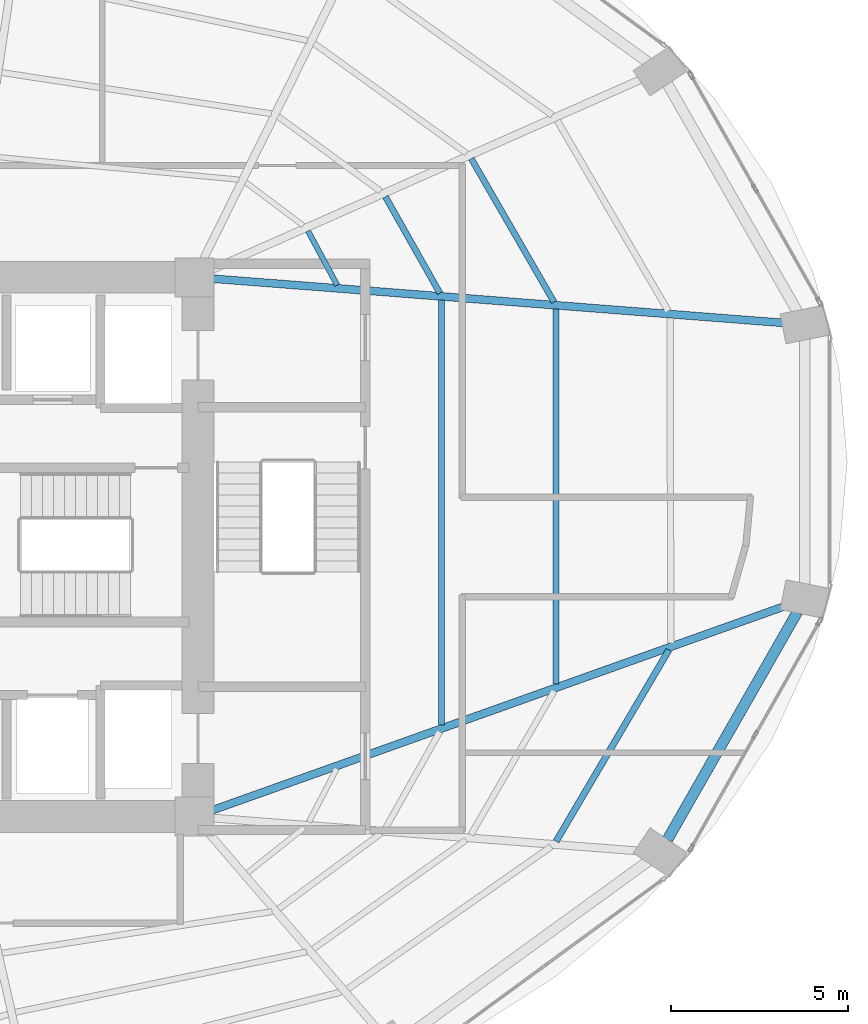
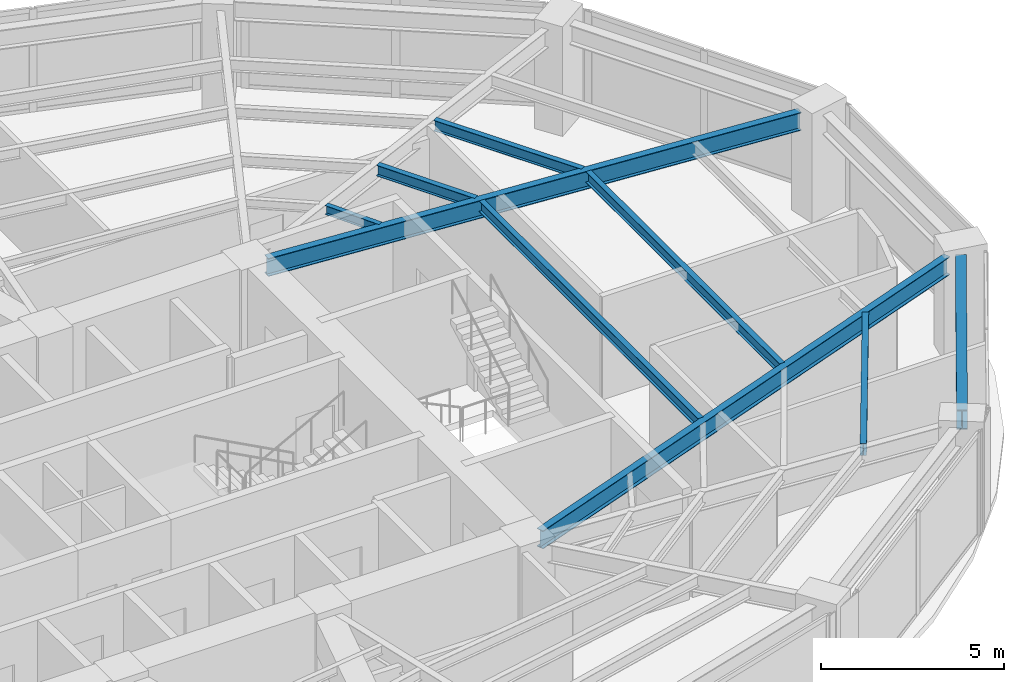
# One storey, part 11 of 24: 9 beams.
"""IFC4 building model written with IfcOpenShell, lengths in metres."""

import ifcopenshell
import ifcopenshell.guid

model = None  # the IFC model being written
_history = None  # IfcOwnerHistory: only IFC2X3 demands one
_inside = {}  # id of a spatial element -> (the spatial element, [elements in it])
_under = {}  # id of a project, library or spatial element -> (it, [spatial elements below it])
_declared = {}  # id of a project -> (the project, [libraries it declares])
_typed = {}  # id of a type object -> (the type object, [elements of that type])
_made_of = {}  # id of a material, layer set ... -> (it, [elements and type objects made of it])


def new_model(schema):
    """Start an empty IFC model of exactly this schema.

    Asked for "IFC4X3", IfcOpenShell would pick the latest addendum, in which some entities
    have other attributes; the version numbers below select the first issue.
    IFC2X3 requires an IfcOwnerHistory on every rooted entity: one is made here for all.
    """
    global model, _history
    if schema == "IFC4X3":
        model = ifcopenshell.file(schema_version=(4, 3, 0, 0))
    else:
        model = ifcopenshell.file(schema=schema)
    _inside.clear()
    _under.clear()
    _declared.clear()
    _typed.clear()
    _made_of.clear()
    _history = None
    if model.schema == "IFC2X3":
        org = make("IfcOrganization", Name="unknown")
        user = make(
            "IfcPersonAndOrganization",
            ThePerson=make("IfcPerson", FamilyName="unknown"),
            TheOrganization=org,
        )
        app = make(
            "IfcApplication",
            ApplicationDeveloper=org,
            Version="unknown",
            ApplicationFullName="unknown",
            ApplicationIdentifier="unknown",
        )
        _history = make(
            "IfcOwnerHistory",
            OwningUser=user,
            OwningApplication=app,
            ChangeAction="ADDED",
            CreationDate=0,
        )
    return model


def make(cls, **values):
    """One entity of the class cls with the attributes given. An attribute that is None is left unset."""
    return model.create_entity(
        cls, **{name: value for name, value in values.items() if value is not None}
    )


def rooted(cls, **values):
    """An entity with a GlobalId (a new one), such as an element, a storey or a relation."""
    return make(cls, GlobalId=ifcopenshell.guid.new(), OwnerHistory=_history, **values)


def si_unit(unit_type, name, prefix=None):
    """IfcSIUnit, for example si_unit("LENGTHUNIT", "METRE", prefix="MILLI")."""
    return make("IfcSIUnit", UnitType=unit_type, Prefix=prefix, Name=name)


def assignment(units):
    """IfcUnitAssignment: the units of a project."""
    return None if units is None else make("IfcUnitAssignment", Units=units)


def point(xyz):
    """IfcCartesianPoint."""
    return None if xyz is None else make("IfcCartesianPoint", Coordinates=xyz)


def direction(xyz):
    """IfcDirection."""
    return None if xyz is None else make("IfcDirection", DirectionRatios=xyz)


def frame(location, z_axis=None, x_axis=None):
    """IfcAxis2Placement3D, a coordinate frame: its origin and axes. An axis left out is left unset."""
    return make(
        "IfcAxis2Placement3D",
        Location=point(location),
        Axis=direction(z_axis),
        RefDirection=direction(x_axis),
    )


def frame_2d(location, x_axis=None):
    """IfcAxis2Placement2D, a coordinate frame in the plane: its origin and x axis."""
    return make(
        "IfcAxis2Placement2D", Location=point(location), RefDirection=direction(x_axis)
    )


def origin():
    """The frame at (0, 0, 0) with its axes left unset."""
    return frame((0.0, 0.0, 0.0))


def origin_2d():
    """The frame at (0, 0) in the plane with its x axis left unset."""
    return frame_2d((0.0, 0.0))


def place(relative_to, where):
    """IfcLocalPlacement: puts the frame where relative to a parent placement (None: the world)."""
    return make(
        "IfcLocalPlacement", PlacementRelTo=relative_to, RelativePlacement=where
    )


def context(
    kind, dimensions, precision=None, world=None, true_north=None, identifier=None
):
    """IfcGeometricRepresentationContext, for example the 3D "Model" context."""
    return make(
        "IfcGeometricRepresentationContext",
        ContextIdentifier=identifier,
        ContextType=kind,
        CoordinateSpaceDimension=dimensions,
        Precision=precision,
        WorldCoordinateSystem=world,
        TrueNorth=true_north,
    )


def subcontext(parent, identifier, kind, view, scale=None):
    """IfcGeometricRepresentationSubContext, for example "Body" below "Model"."""
    return make(
        "IfcGeometricRepresentationSubContext",
        ContextIdentifier=identifier,
        ContextType=kind,
        ParentContext=parent,
        TargetScale=scale,
        TargetView=view,
    )


def project(units=None, contexts=None):
    """IfcProject with its units and contexts."""
    return rooted(
        "IfcProject",
        Name="project",
        RepresentationContexts=contexts,
        UnitsInContext=assignment(units),
    )


def spatial(cls, under=None, at=None, **own):
    """A site, building, storey or space (cls), placed at a placement, below another one or the project."""
    s = rooted(cls, ObjectPlacement=at, **own)
    if under is not None:
        _under.setdefault(under.id(), (under, []))[1].append(s)
    return s


def profile(cls, at=None, kind="AREA", **sizes):
    """A parametric profile (cls). Its sizes go by their IFC names, for example OverallWidth=200.0."""
    return make(cls, ProfileType=kind, Position=at, **sizes)


def i_section(**sizes):
    """IfcIShapeProfileDef."""
    return profile("IfcIShapeProfileDef", **sizes)


def extrude(swept, where, along, depth):
    """IfcExtrudedAreaSolid: the profile swept, set in the frame where, extruded along a direction by depth."""
    return make(
        "IfcExtrudedAreaSolid",
        SweptArea=swept,
        Position=where,
        ExtrudedDirection=direction(along),
        Depth=depth,
    )


def shape(context_of_items, identifier, shape_type, items):
    """IfcShapeRepresentation: the items that make up one representation, for example the "Body"."""
    return make(
        "IfcShapeRepresentation",
        ContextOfItems=context_of_items,
        RepresentationIdentifier=identifier,
        RepresentationType=shape_type,
        Items=items,
    )


def material(Name=None, Category=None):
    """IfcMaterial."""
    return make("IfcMaterial", Name=Name, Category=Category)


def material_profile(
    of_material, cross_section, Name=None, Category=None, Priority=None
):
    """IfcMaterialProfile: a cross section and its material."""
    return make(
        "IfcMaterialProfile",
        Name=Name,
        Material=of_material,
        Profile=cross_section,
        Priority=Priority,
        Category=Category,
    )


def profile_set(profiles, Name=None, composite=None):
    """IfcMaterialProfileSet."""
    return make(
        "IfcMaterialProfileSet",
        Name=Name,
        MaterialProfiles=profiles,
        CompositeProfile=composite,
    )


def made_of(thing, what):
    """Note that an element or type object is made of a material, layer set ...; save() writes the relation."""
    if what is not None:
        _made_of.setdefault(what.id(), (what, []))[1].append(thing)
    return thing


def type_object(cls, material=None, **own):
    """A type object (cls), such as IfcWallType, which elements share."""
    return made_of(rooted(cls, **own), material)


def element(
    cls,
    number,
    at=None,
    inside=None,
    cuts=None,
    type_object=None,
    material=None,
    context=None,
    identifier="Body",
    shape_type=None,
    held_by="IfcProductDefinitionShape",
    body=None,
    shapes=None,
    **own,
):
    """One element of the class cls, such as IfcWall. Its Tag is "e" and its number.

    at: its placement. inside: the storey or other place that contains it. cuts: it is an
    opening in that element (IfcRelVoidsElement). A single representation is given by context,
    identifier, shape_type and body (its items); several are given by shapes. held_by: the class
    of the entity that holds the representations. save() writes the other relations.
    """
    e = rooted(cls, Tag="e%d" % number, ObjectPlacement=at, **own)
    if body is not None:
        shapes = [shape(context, identifier, shape_type, body)]
    if shapes is not None:
        e.Representation = make(held_by, Representations=shapes)
    if inside is not None:
        _inside.setdefault(inside.id(), (inside, []))[1].append(e)
    if cuts is not None:
        rooted(
            "IfcRelVoidsElement", RelatingBuildingElement=cuts, RelatedOpeningElement=e
        )
    if type_object is not None:
        _typed.setdefault(type_object.id(), (type_object, []))[1].append(e)
    return made_of(e, material)


def aggregate(whole, parts):
    """IfcRelAggregates: a whole, such as a stair, and the parts it consists of."""
    return rooted("IfcRelAggregates", RelatingObject=whole, RelatedObjects=parts)


def save(model, path):
    """Write the relations noted so far, then the file.

    IfcRelAggregates (storeys below a building ...), IfcRelContainedInSpatialStructure (elements
    in a storey), IfcRelDefinesByType, IfcRelAssociatesMaterial and IfcRelDeclares: one each for
    every whole, place, type object, material and project.
    """
    for whole, parts in _under.values():
        aggregate(whole, parts)
    for where, things in _inside.values():
        rooted(
            "IfcRelContainedInSpatialStructure",
            RelatedElements=things,
            RelatingStructure=where,
        )
    for kind, things in _typed.values():
        rooted("IfcRelDefinesByType", RelatedObjects=things, RelatingType=kind)
    for what, things in _made_of.values():
        rooted("IfcRelAssociatesMaterial", RelatedObjects=things, RelatingMaterial=what)
    for by, libraries in _declared.values():
        rooted("IfcRelDeclares", RelatingContext=by, RelatedDefinitions=libraries)
    model.write(path)


model = new_model("IFC4")

# Units and contexts
model_context = context("Model", 3, precision=1e-05, world=origin(), true_north=direction((0.0, 1.0)))
body_context = subcontext(model_context, "Body", "Model", "MODEL_VIEW")
ifc_project = project(units=[si_unit("LENGTHUNIT", "METRE"), si_unit("AREAUNIT", "SQUARE_METRE"), si_unit("VOLUMEUNIT", "CUBIC_METRE"), si_unit("PLANEANGLEUNIT", "RADIAN"), si_unit("MASSUNIT", "GRAM", prefix="KILO")], contexts=[model_context])

# Site, building, storey
site_placement = place(None, origin())
site = spatial("IfcSite", under=ifc_project, at=site_placement, CompositionType="ELEMENT")
building_placement = place(site_placement, origin())
building = spatial("IfcBuilding", under=site, at=building_placement, Name="Lazwardi Medical Tower", CompositionType="ELEMENT")
storey_placement = place(building_placement, frame((0.0, 0.0, 39.7919921875)))
storey = spatial("IfcBuildingStorey", under=building, at=storey_placement, Name="L09", CompositionType="ELEMENT", Elevation=39.7919921875)

# Beams
ifc_material = material(Name="Steel S355", Category="steel")
ifc_material_profile_1 = material_profile(ifc_material, i_section(OverallWidth=0.300048828125, OverallDepth=0.64990234375, WebThickness=0.01611328125, FlangeThickness=0.031005859375, at=origin_2d()), Name="HEB 650")
ifc_profile_set_1 = profile_set([ifc_material_profile_1], Name="Steel S355")
beam_type_1 = type_object("IfcBeamType", Name="BM-RB-Z1", PredefinedType="BEAM", material=ifc_profile_set_1)
beam_1_placement = place(storey_placement, frame((58.927978515625, 19.75048828125, 3.10302734375), z_axis=(0.495829348644, 0.868419977328, 0.0), x_axis=(-0.868419977328, 0.495829348644, 0.0)))
element("IfcBeam", 1, at=beam_1_placement, inside=storey, type_object=beam_type_1, Name="Ring beam RB-02 B03 L09", PredefinedType="BEAM", context=body_context, shape_type="SweptSolid", body=[
    extrude(i_section(OverallWidth=0.300048828125, OverallDepth=0.64990234375, WebThickness=0.01611328125, FlangeThickness=0.031005859375, at=origin_2d()), origin(), (0.0, 0.0, 1.0), 7.38916015625),
])
ifc_material_profile_2 = material_profile(ifc_material, i_section(OverallWidth=0.219970703125, OverallDepth=0.60009765625, WebThickness=0.011962890625, FlangeThickness=0.01904296875, at=origin_2d()), Name="IPE 600")
ifc_profile_set_2 = profile_set([ifc_material_profile_2], Name="Steel S355")
beam_type_2 = type_object("IfcBeamType", Name="BM-RG-W1", PredefinedType="BEAM", material=ifc_profile_set_2)
beam_2_placement = place(storey_placement, frame((62.253662109375, 26.33740234375, 3.1279296875), z_axis=(-0.941925080425, -0.335823082688, 0.0), x_axis=(0.335823082688, -0.941925080425, 0.0)))
element("IfcBeam", 2, at=beam_2_placement, inside=storey, type_object=beam_type_2, Name="Radial girder RG-02 R04 L09", PredefinedType="BEAM", context=body_context, shape_type="SweptSolid", body=[
    extrude(i_section(OverallWidth=0.219970703125, OverallDepth=0.60009765625, WebThickness=0.011962890625, FlangeThickness=0.01904296875, at=origin_2d()), origin(), (0.0, 0.0, 1.0), 17.145263671875),
])
beam_3_placement = place(storey_placement, frame((62.2216796875, 34.3125, 3.1279296875), z_axis=(-0.997013942066, 0.077221754231, 0.0), x_axis=(-0.077221754231, -0.997013942066, 0.0)))
element("IfcBeam", 3, at=beam_3_placement, inside=storey, type_object=beam_type_2, Name="Radial girder RG-02 R05 L09", PredefinedType="BEAM", context=body_context, shape_type="SweptSolid", body=[
    extrude(i_section(OverallWidth=0.219970703125, OverallDepth=0.60009765625, WebThickness=0.011962890625, FlangeThickness=0.01904296875, at=origin_2d()), origin(), (0.0, 0.0, 1.0), 16.136474609375),
])
ifc_material_profile_3 = material_profile(ifc_material, i_section(OverallWidth=0.179931640625, OverallDepth=0.39990234375, WebThickness=0.008544921875, FlangeThickness=0.013427734375, at=origin_2d()), Name="IPE 400")
ifc_profile_set_3 = profile_set([ifc_material_profile_3], Name="Steel S355")
beam_type_3 = type_object("IfcBeamType", Name="BM-SJ-01", PredefinedType="JOIST", material=ifc_profile_set_3)
beam_4_placement = place(storey_placement, frame((55.793212890625, 19.70654296875, 3.22802734375), z_axis=(0.507886270937, 0.861424132349, 0.0), x_axis=(-0.861424132349, 0.507886270937, 0.0)))
element("IfcBeam", 4, at=beam_4_placement, inside=storey, type_object=beam_type_3, Name="Secondary joist SJ-01 R1 B03 L09", PredefinedType="JOIST", context=body_context, shape_type="SweptSolid", body=[
    extrude(i_section(OverallWidth=0.179931640625, OverallDepth=0.39990234375, WebThickness=0.008544921875, FlangeThickness=0.013427734375, at=origin_2d()), origin(), (0.0, 0.0, 1.0), 6.255859375),
])
ifc_material_profile_4 = material_profile(ifc_material, i_section(OverallWidth=0.169921875, OverallDepth=0.360107421875, WebThickness=0.008056640625, FlangeThickness=0.0126953125, at=origin_2d()), Name="IPE 360")
ifc_profile_set_4 = profile_set([ifc_material_profile_4], Name="Steel S355")
beam_type_4 = type_object("IfcBeamType", Name="BM-SJ-02", PredefinedType="JOIST", material=ifc_profile_set_4)
beam_5_placement = place(storey_placement, frame((55.793701171875, 24.139404296875, 3.248046875), z_axis=(-0.000670039821, 0.999999775523, 0.0), x_axis=(-0.999999775523, -0.000670039821, 0.0)))
element("IfcBeam", 5, at=beam_5_placement, inside=storey, type_object=beam_type_4, Name="Secondary joist SJ-02 R2 B04 L09", PredefinedType="JOIST", context=body_context, shape_type="SweptSolid", body=[
    extrude(i_section(OverallWidth=0.169921875, OverallDepth=0.360107421875, WebThickness=0.008056640625, FlangeThickness=0.0126953125, at=origin_2d()), origin(), (0.0, 0.0, 1.0), 10.566650390625),
])
beam_6_placement = place(storey_placement, frame((55.73388671875, 34.90185546875, 3.248046875), z_axis=(-0.499785866494, 0.866148998529, 0.0), x_axis=(-0.866148998529, -0.499785866494, 0.0)))
element("IfcBeam", 6, at=beam_6_placement, inside=storey, type_object=beam_type_4, Name="Secondary joist SJ-02 R2 B05 L09", PredefinedType="JOIST", context=body_context, shape_type="SweptSolid", body=[
    extrude(i_section(OverallWidth=0.169921875, OverallDepth=0.360107421875, WebThickness=0.008056640625, FlangeThickness=0.0126953125, at=origin_2d()), origin(), (0.0, 0.0, 1.0), 4.666015625),
])
beam_7_placement = place(storey_placement, frame((52.56396484375, 22.98779296875, 3.248046875), z_axis=(0.000387612685, 0.999999924878, 0.0), x_axis=(-0.999999924878, 0.000387612685, 0.0)))
element("IfcBeam", 7, at=beam_7_placement, inside=storey, type_object=beam_type_4, Name="Secondary joist SJ-02 R3 B04 L09", PredefinedType="JOIST", context=body_context, shape_type="SweptSolid", body=[
    extrude(i_section(OverallWidth=0.169921875, OverallDepth=0.360107421875, WebThickness=0.008056640625, FlangeThickness=0.0126953125, at=origin_2d()), origin(), (0.0, 0.0, 1.0), 11.96728515625),
])
beam_8_placement = place(storey_placement, frame((52.51708984375, 35.151611328125, 3.248046875), z_axis=(-0.491923287977, 0.870638546554, 0.0), x_axis=(-0.870638546554, -0.491923287977, 0.0)))
element("IfcBeam", 8, at=beam_8_placement, inside=storey, type_object=beam_type_4, Name="Secondary joist SJ-02 R3 B05 L09", PredefinedType="JOIST", context=body_context, shape_type="SweptSolid", body=[
    extrude(i_section(OverallWidth=0.169921875, OverallDepth=0.360107421875, WebThickness=0.008056640625, FlangeThickness=0.0126953125, at=origin_2d()), origin(), (0.0, 0.0, 1.0), 3.122802734375),
])
ifc_material_profile_5 = material_profile(ifc_material, i_section(OverallWidth=0.14990234375, OverallDepth=0.300048828125, WebThickness=0.007080078125, FlangeThickness=0.0107421875, at=origin_2d()), Name="IPE 300")
ifc_profile_set_5 = profile_set([ifc_material_profile_5], Name="Steel S355")
beam_type_5 = type_object("IfcBeamType", Name="BM-SJ-03", PredefinedType="JOIST", material=ifc_profile_set_5)
beam_9_placement = place(storey_placement, frame((49.623046875, 35.376953125, 3.278076171875), z_axis=(-0.473982292828, 0.880534375301, 0.0), x_axis=(-0.880534375301, -0.473982292828, 0.0)))
element("IfcBeam", 9, at=beam_9_placement, inside=storey, type_object=beam_type_5, Name="Secondary joist SJ-03 R4 B05 L09", PredefinedType="JOIST", context=body_context, shape_type="SweptSolid", body=[
    extrude(i_section(OverallWidth=0.14990234375, OverallDepth=0.300048828125, WebThickness=0.007080078125, FlangeThickness=0.0107421875, at=origin_2d()), origin(), (0.0, 0.0, 1.0), 1.734375),
])

save(model, "model.ifc")
